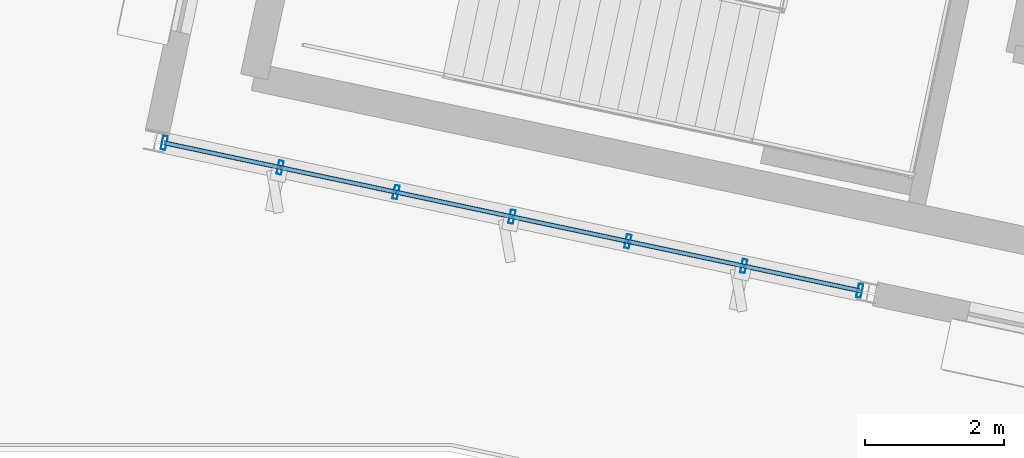
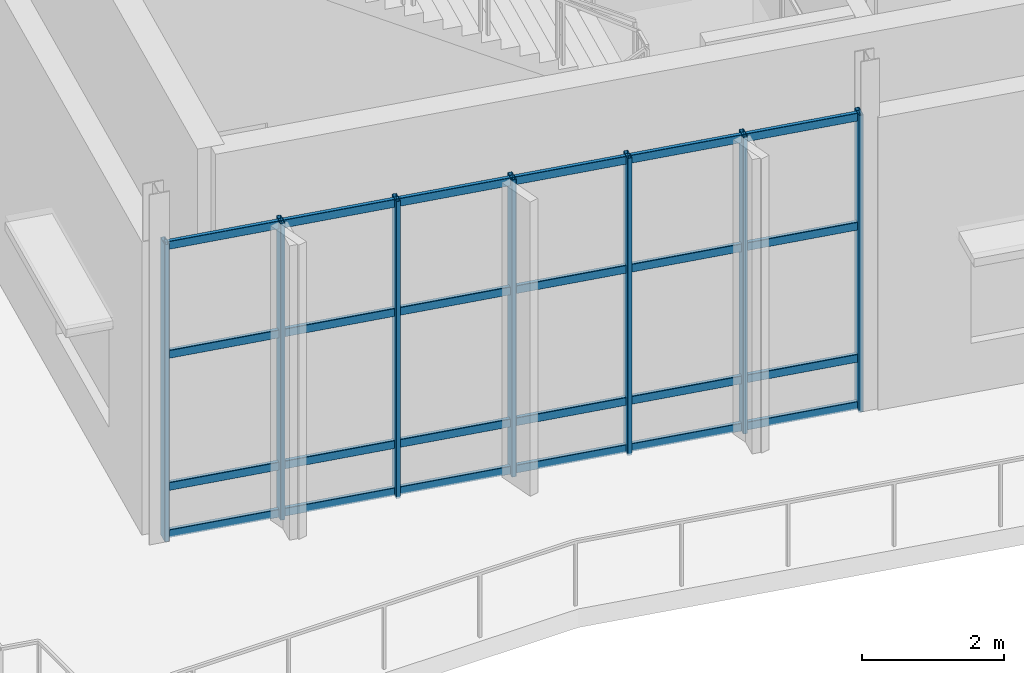
# One storey, part 29 of 163: 31 members, 1 element without a shape of its own.
"""IFC4 building model written with IfcOpenShell, lengths in metres."""

from ifc_helpers import new_model, si_unit, direction, frame, origin, origin_2d, place, context, subcontext, project, spatial, hollow_rectangle, extrude, material, layer, layer_set, material_profile, profile_set, type_object, element, aggregate, save


model = new_model("IFC4")

# Units and contexts
model_context = context("Model", 3, precision=1e-05, world=origin(), true_north=direction((0.0, 1.0)))
body_context = subcontext(model_context, "Body", "Model", "MODEL_VIEW")
ifc_project = project(units=[si_unit("LENGTHUNIT", "METRE"), si_unit("AREAUNIT", "SQUARE_METRE"), si_unit("VOLUMEUNIT", "CUBIC_METRE"), si_unit("PLANEANGLEUNIT", "RADIAN"), si_unit("MASSUNIT", "GRAM", prefix="KILO")], contexts=[model_context])

# Site, building, storey
site_placement = place(None, origin())
site = spatial("IfcSite", under=ifc_project, at=site_placement, CompositionType="ELEMENT")
building_placement = place(site_placement, origin())
building = spatial("IfcBuilding", under=site, at=building_placement, Name="Khorjan Park Terminus", CompositionType="ELEMENT")
storey_placement = place(building_placement, origin())
storey = spatial("IfcBuildingStorey", under=building, at=storey_placement, Name="L00", CompositionType="ELEMENT", Elevation=0.0)

# Curtain wall, members
ifc_material = material(Name="Anodized Bronze Aluminium", Category="aluminium")
ifc_layer = layer(ifc_material, 0.22)
ifc_layer_set = layer_set([ifc_layer], Name="Anodized Bronze Aluminium")
curtain_wall_type = type_object("IfcCurtainWallType", Name="CW-PAV-C", PredefinedType="NOTDEFINED", material=ifc_layer_set)
curtain_wall_placement = place(storey_placement, origin())
curtain_wall = element("IfcCurtainWall", 1, at=curtain_wall_placement, inside=storey, type_object=curtain_wall_type, Name="Unitized curtain wall CW-C (CW-V4-S-L00-B01)", PredefinedType="NOTDEFINED")
ifc_material_profile_1 = material_profile(ifc_material, hollow_rectangle(XDim=0.07, YDim=0.2, WallThickness=0.005, InnerFilletRadius=0.005, OuterFilletRadius=0.01, at=origin_2d()), Name="ALM 70x200x5")
ifc_profile_set_1 = profile_set([ifc_material_profile_1], Name="Anodized Bronze Aluminium")
member_type_1 = type_object("IfcMemberType", Name="ML-ALM-200", PredefinedType="MULLION", material=ifc_profile_set_1)
member_1_placement = place(storey_placement, frame((-5.8728, 41.973, -0.035), z_axis=(0.0, 0.0, 1.0), x_axis=(0.978147146591, -0.207913827382, 0.0)))
member_1 = element("IfcMember", 2, at=member_1_placement, type_object=member_type_1, Name="Curtain-wall mullion ML-20 (CW-V4-S-L00-B01-0)", PredefinedType="MULLION", context=body_context, shape_type="SweptSolid", body=[
    extrude(hollow_rectangle(XDim=0.07, YDim=0.2, WallThickness=0.005, InnerFilletRadius=0.005, OuterFilletRadius=0.01, at=origin_2d()), origin(), (0.0, 0.0, 1.0), 5.095),
])
member_2_placement = place(storey_placement, frame((-4.2017, 41.6178, -0.035), z_axis=(0.0, 0.0, 1.0), x_axis=(0.978147146591, -0.207913827382, 0.0)))
member_2 = element("IfcMember", 3, at=member_2_placement, type_object=member_type_1, Name="Curtain-wall mullion ML-20 (CW-V4-S-L00-B01-1)", PredefinedType="MULLION", context=body_context, shape_type="SweptSolid", body=[
    extrude(hollow_rectangle(XDim=0.07, YDim=0.2, WallThickness=0.005, InnerFilletRadius=0.005, OuterFilletRadius=0.01, at=origin_2d()), origin(), (0.0, 0.0, 1.0), 5.095),
])
member_3_placement = place(storey_placement, frame((-2.5307, 41.2626, -0.035), z_axis=(0.0, 0.0, 1.0), x_axis=(0.978147146591, -0.207913827382, 0.0)))
member_3 = element("IfcMember", 4, at=member_3_placement, type_object=member_type_1, Name="Curtain-wall mullion ML-20 (CW-V4-S-L00-B01-2)", PredefinedType="MULLION", context=body_context, shape_type="SweptSolid", body=[
    extrude(hollow_rectangle(XDim=0.07, YDim=0.2, WallThickness=0.005, InnerFilletRadius=0.005, OuterFilletRadius=0.01, at=origin_2d()), origin(), (0.0, 0.0, 1.0), 5.095),
])
member_4_placement = place(storey_placement, frame((-0.8596, 40.9074, -0.035), z_axis=(0.0, 0.0, 1.0), x_axis=(0.978147146591, -0.207913827382, 0.0)))
member_4 = element("IfcMember", 5, at=member_4_placement, type_object=member_type_1, Name="Curtain-wall mullion ML-20 (CW-V4-S-L00-B01-3)", PredefinedType="MULLION", context=body_context, shape_type="SweptSolid", body=[
    extrude(hollow_rectangle(XDim=0.07, YDim=0.2, WallThickness=0.005, InnerFilletRadius=0.005, OuterFilletRadius=0.01, at=origin_2d()), origin(), (0.0, 0.0, 1.0), 5.095),
])
member_5_placement = place(storey_placement, frame((0.8115, 40.5522, -0.035), z_axis=(0.0, 0.0, 1.0), x_axis=(0.978147146591, -0.207913827382, 0.0)))
member_5 = element("IfcMember", 6, at=member_5_placement, type_object=member_type_1, Name="Curtain-wall mullion ML-20 (CW-V4-S-L00-B01-4)", PredefinedType="MULLION", context=body_context, shape_type="SweptSolid", body=[
    extrude(hollow_rectangle(XDim=0.07, YDim=0.2, WallThickness=0.005, InnerFilletRadius=0.005, OuterFilletRadius=0.01, at=origin_2d()), origin(), (0.0, 0.0, 1.0), 5.095),
])
member_6_placement = place(storey_placement, frame((2.4825, 40.197, -0.035), z_axis=(0.0, 0.0, 1.0), x_axis=(0.978147146591, -0.207913827382, 0.0)))
member_6 = element("IfcMember", 7, at=member_6_placement, type_object=member_type_1, Name="Curtain-wall mullion ML-20 (CW-V4-S-L00-B01-5)", PredefinedType="MULLION", context=body_context, shape_type="SweptSolid", body=[
    extrude(hollow_rectangle(XDim=0.07, YDim=0.2, WallThickness=0.005, InnerFilletRadius=0.005, OuterFilletRadius=0.01, at=origin_2d()), origin(), (0.0, 0.0, 1.0), 5.095),
])
member_7_placement = place(storey_placement, frame((4.1536, 39.8418, -0.035), z_axis=(0.0, 0.0, 1.0), x_axis=(0.978147146591, -0.207913827382, 0.0)))
member_7 = element("IfcMember", 8, at=member_7_placement, type_object=member_type_1, Name="Curtain-wall mullion ML-20 (CW-V4-S-L00-B01-6)", PredefinedType="MULLION", context=body_context, shape_type="SweptSolid", body=[
    extrude(hollow_rectangle(XDim=0.07, YDim=0.2, WallThickness=0.005, InnerFilletRadius=0.005, OuterFilletRadius=0.01, at=origin_2d()), origin(), (0.0, 0.0, 1.0), 5.095),
])
ifc_material_profile_2 = material_profile(ifc_material, hollow_rectangle(XDim=0.065, YDim=0.14, WallThickness=0.004, InnerFilletRadius=0.004, OuterFilletRadius=0.008, at=origin_2d()), Name="ALT 65x140x4")
ifc_profile_set_2 = profile_set([ifc_material_profile_2], Name="Anodized Bronze Aluminium")
member_type_2 = type_object("IfcMemberType", Name="TR-ALT-140", PredefinedType="USERDEFINED", material=ifc_profile_set_2)
member_8_placement = place(storey_placement, frame((-5.8728, 41.973, 0.04), z_axis=(0.978147990011, -0.207909859405, 0.0), x_axis=(0.207909859405, 0.978147990011, 0.0)))
member_8 = element("IfcMember", 9, at=member_8_placement, type_object=member_type_2, Name="Curtain-wall transom TR-14 (CW-V4-S-L00-B01-0-1)", ObjectType="TRANSOM", PredefinedType="USERDEFINED", context=body_context, shape_type="SweptSolid", body=[
    extrude(hollow_rectangle(XDim=0.065, YDim=0.14, WallThickness=0.004, InnerFilletRadius=0.004, OuterFilletRadius=0.008, at=origin_2d()), origin(), (0.0, 0.0, 1.0), 1.7084),
])
member_9_placement = place(storey_placement, frame((-5.8728, 41.973, 0.85), z_axis=(0.978147990011, -0.207909859405, 0.0), x_axis=(0.207909859405, 0.978147990011, 0.0)))
member_9 = element("IfcMember", 10, at=member_9_placement, type_object=member_type_2, Name="Curtain-wall transom TR-14 (CW-V4-S-L00-B01-0-2)", ObjectType="TRANSOM", PredefinedType="USERDEFINED", context=body_context, shape_type="SweptSolid", body=[
    extrude(hollow_rectangle(XDim=0.065, YDim=0.14, WallThickness=0.004, InnerFilletRadius=0.004, OuterFilletRadius=0.008, at=origin_2d()), origin(), (0.0, 0.0, 1.0), 1.7084),
])
member_10_placement = place(storey_placement, frame((-5.8728, 41.973, 3.1155), z_axis=(0.978147990011, -0.207909859405, 0.0), x_axis=(0.207909859405, 0.978147990011, 0.0)))
member_10 = element("IfcMember", 11, at=member_10_placement, type_object=member_type_2, Name="Curtain-wall transom TR-14 (CW-V4-S-L00-B01-0-3)", ObjectType="TRANSOM", PredefinedType="USERDEFINED", context=body_context, shape_type="SweptSolid", body=[
    extrude(hollow_rectangle(XDim=0.065, YDim=0.14, WallThickness=0.004, InnerFilletRadius=0.004, OuterFilletRadius=0.008, at=origin_2d()), origin(), (0.0, 0.0, 1.0), 1.7084),
])
member_11_placement = place(storey_placement, frame((-5.8728, 41.973, 4.985), z_axis=(0.978147990011, -0.207909859405, 0.0), x_axis=(0.207909859405, 0.978147990011, 0.0)))
member_11 = element("IfcMember", 12, at=member_11_placement, type_object=member_type_2, Name="Curtain-wall transom TR-14 (CW-V4-S-L00-B01-0-4)", ObjectType="TRANSOM", PredefinedType="USERDEFINED", context=body_context, shape_type="SweptSolid", body=[
    extrude(hollow_rectangle(XDim=0.065, YDim=0.14, WallThickness=0.004, InnerFilletRadius=0.004, OuterFilletRadius=0.008, at=origin_2d()), origin(), (0.0, 0.0, 1.0), 1.7084),
])
member_12_placement = place(storey_placement, frame((-4.2017, 41.6178, 0.04), z_axis=(0.978145459608, -0.207921763766, 0.0), x_axis=(0.207921763766, 0.978145459608, 0.0)))
member_12 = element("IfcMember", 13, at=member_12_placement, type_object=member_type_2, Name="Curtain-wall transom TR-14 (CW-V4-S-L00-B01-1-1)", ObjectType="TRANSOM", PredefinedType="USERDEFINED", context=body_context, shape_type="SweptSolid", body=[
    extrude(hollow_rectangle(XDim=0.065, YDim=0.14, WallThickness=0.004, InnerFilletRadius=0.004, OuterFilletRadius=0.008, at=origin_2d()), origin(), (0.0, 0.0, 1.0), 1.7083),
])
member_13_placement = place(storey_placement, frame((-4.2017, 41.6178, 0.85), z_axis=(0.978145459608, -0.207921763766, 0.0), x_axis=(0.207921763766, 0.978145459608, 0.0)))
member_13 = element("IfcMember", 14, at=member_13_placement, type_object=member_type_2, Name="Curtain-wall transom TR-14 (CW-V4-S-L00-B01-1-2)", ObjectType="TRANSOM", PredefinedType="USERDEFINED", context=body_context, shape_type="SweptSolid", body=[
    extrude(hollow_rectangle(XDim=0.065, YDim=0.14, WallThickness=0.004, InnerFilletRadius=0.004, OuterFilletRadius=0.008, at=origin_2d()), origin(), (0.0, 0.0, 1.0), 1.7083),
])
member_14_placement = place(storey_placement, frame((-4.2017, 41.6178, 3.1155), z_axis=(0.978145459608, -0.207921763766, 0.0), x_axis=(0.207921763766, 0.978145459608, 0.0)))
member_14 = element("IfcMember", 15, at=member_14_placement, type_object=member_type_2, Name="Curtain-wall transom TR-14 (CW-V4-S-L00-B01-1-3)", ObjectType="TRANSOM", PredefinedType="USERDEFINED", context=body_context, shape_type="SweptSolid", body=[
    extrude(hollow_rectangle(XDim=0.065, YDim=0.14, WallThickness=0.004, InnerFilletRadius=0.004, OuterFilletRadius=0.008, at=origin_2d()), origin(), (0.0, 0.0, 1.0), 1.7083),
])
member_15_placement = place(storey_placement, frame((-4.2017, 41.6178, 4.985), z_axis=(0.978145459608, -0.207921763766, 0.0), x_axis=(0.207921763766, 0.978145459608, 0.0)))
member_15 = element("IfcMember", 16, at=member_15_placement, type_object=member_type_2, Name="Curtain-wall transom TR-14 (CW-V4-S-L00-B01-1-4)", ObjectType="TRANSOM", PredefinedType="USERDEFINED", context=body_context, shape_type="SweptSolid", body=[
    extrude(hollow_rectangle(XDim=0.065, YDim=0.14, WallThickness=0.004, InnerFilletRadius=0.004, OuterFilletRadius=0.008, at=origin_2d()), origin(), (0.0, 0.0, 1.0), 1.7083),
])
member_16_placement = place(storey_placement, frame((-2.5307, 41.2626, 0.04), z_axis=(0.978147990011, -0.207909859405, 0.0), x_axis=(0.207909859405, 0.978147990011, 0.0)))
member_16 = element("IfcMember", 17, at=member_16_placement, type_object=member_type_2, Name="Curtain-wall transom TR-14 (CW-V4-S-L00-B01-2-1)", ObjectType="TRANSOM", PredefinedType="USERDEFINED", context=body_context, shape_type="SweptSolid", body=[
    extrude(hollow_rectangle(XDim=0.065, YDim=0.14, WallThickness=0.004, InnerFilletRadius=0.004, OuterFilletRadius=0.008, at=origin_2d()), origin(), (0.0, 0.0, 1.0), 1.7084),
])
member_17_placement = place(storey_placement, frame((-2.5307, 41.2626, 0.85), z_axis=(0.978147990011, -0.207909859405, 0.0), x_axis=(0.207909859405, 0.978147990011, 0.0)))
member_17 = element("IfcMember", 18, at=member_17_placement, type_object=member_type_2, Name="Curtain-wall transom TR-14 (CW-V4-S-L00-B01-2-2)", ObjectType="TRANSOM", PredefinedType="USERDEFINED", context=body_context, shape_type="SweptSolid", body=[
    extrude(hollow_rectangle(XDim=0.065, YDim=0.14, WallThickness=0.004, InnerFilletRadius=0.004, OuterFilletRadius=0.008, at=origin_2d()), origin(), (0.0, 0.0, 1.0), 1.7084),
])
member_18_placement = place(storey_placement, frame((-2.5307, 41.2626, 3.1155), z_axis=(0.978147990011, -0.207909859405, 0.0), x_axis=(0.207909859405, 0.978147990011, 0.0)))
member_18 = element("IfcMember", 19, at=member_18_placement, type_object=member_type_2, Name="Curtain-wall transom TR-14 (CW-V4-S-L00-B01-2-3)", ObjectType="TRANSOM", PredefinedType="USERDEFINED", context=body_context, shape_type="SweptSolid", body=[
    extrude(hollow_rectangle(XDim=0.065, YDim=0.14, WallThickness=0.004, InnerFilletRadius=0.004, OuterFilletRadius=0.008, at=origin_2d()), origin(), (0.0, 0.0, 1.0), 1.7084),
])
member_19_placement = place(storey_placement, frame((-2.5307, 41.2626, 4.985), z_axis=(0.978147990011, -0.207909859405, 0.0), x_axis=(0.207909859405, 0.978147990011, 0.0)))
member_19 = element("IfcMember", 20, at=member_19_placement, type_object=member_type_2, Name="Curtain-wall transom TR-14 (CW-V4-S-L00-B01-2-4)", ObjectType="TRANSOM", PredefinedType="USERDEFINED", context=body_context, shape_type="SweptSolid", body=[
    extrude(hollow_rectangle(XDim=0.065, YDim=0.14, WallThickness=0.004, InnerFilletRadius=0.004, OuterFilletRadius=0.008, at=origin_2d()), origin(), (0.0, 0.0, 1.0), 1.7084),
])
member_20_placement = place(storey_placement, frame((-0.8596, 40.9074, 0.04), z_axis=(0.978147990011, -0.207909859405, 0.0), x_axis=(0.207909859405, 0.978147990011, 0.0)))
member_20 = element("IfcMember", 21, at=member_20_placement, type_object=member_type_2, Name="Curtain-wall transom TR-14 (CW-V4-S-L00-B01-3-1)", ObjectType="TRANSOM", PredefinedType="USERDEFINED", context=body_context, shape_type="SweptSolid", body=[
    extrude(hollow_rectangle(XDim=0.065, YDim=0.14, WallThickness=0.004, InnerFilletRadius=0.004, OuterFilletRadius=0.008, at=origin_2d()), origin(), (0.0, 0.0, 1.0), 1.7084),
])
member_21_placement = place(storey_placement, frame((-0.8596, 40.9074, 0.85), z_axis=(0.978147990011, -0.207909859405, 0.0), x_axis=(0.207909859405, 0.978147990011, 0.0)))
member_21 = element("IfcMember", 22, at=member_21_placement, type_object=member_type_2, Name="Curtain-wall transom TR-14 (CW-V4-S-L00-B01-3-2)", ObjectType="TRANSOM", PredefinedType="USERDEFINED", context=body_context, shape_type="SweptSolid", body=[
    extrude(hollow_rectangle(XDim=0.065, YDim=0.14, WallThickness=0.004, InnerFilletRadius=0.004, OuterFilletRadius=0.008, at=origin_2d()), origin(), (0.0, 0.0, 1.0), 1.7084),
])
member_22_placement = place(storey_placement, frame((-0.8596, 40.9074, 3.1155), z_axis=(0.978147990011, -0.207909859405, 0.0), x_axis=(0.207909859405, 0.978147990011, 0.0)))
member_22 = element("IfcMember", 23, at=member_22_placement, type_object=member_type_2, Name="Curtain-wall transom TR-14 (CW-V4-S-L00-B01-3-3)", ObjectType="TRANSOM", PredefinedType="USERDEFINED", context=body_context, shape_type="SweptSolid", body=[
    extrude(hollow_rectangle(XDim=0.065, YDim=0.14, WallThickness=0.004, InnerFilletRadius=0.004, OuterFilletRadius=0.008, at=origin_2d()), origin(), (0.0, 0.0, 1.0), 1.7084),
])
member_23_placement = place(storey_placement, frame((-0.8596, 40.9074, 4.985), z_axis=(0.978147990011, -0.207909859405, 0.0), x_axis=(0.207909859405, 0.978147990011, 0.0)))
member_23 = element("IfcMember", 24, at=member_23_placement, type_object=member_type_2, Name="Curtain-wall transom TR-14 (CW-V4-S-L00-B01-3-4)", ObjectType="TRANSOM", PredefinedType="USERDEFINED", context=body_context, shape_type="SweptSolid", body=[
    extrude(hollow_rectangle(XDim=0.065, YDim=0.14, WallThickness=0.004, InnerFilletRadius=0.004, OuterFilletRadius=0.008, at=origin_2d()), origin(), (0.0, 0.0, 1.0), 1.7084),
])
member_24_placement = place(storey_placement, frame((0.8115, 40.5522, 0.04), z_axis=(0.978145459608, -0.207921763766, 0.0), x_axis=(0.207921763766, 0.978145459608, 0.0)))
member_24 = element("IfcMember", 25, at=member_24_placement, type_object=member_type_2, Name="Curtain-wall transom TR-14 (CW-V4-S-L00-B01-4-1)", ObjectType="TRANSOM", PredefinedType="USERDEFINED", context=body_context, shape_type="SweptSolid", body=[
    extrude(hollow_rectangle(XDim=0.065, YDim=0.14, WallThickness=0.004, InnerFilletRadius=0.004, OuterFilletRadius=0.008, at=origin_2d()), origin(), (0.0, 0.0, 1.0), 1.7083),
])
member_25_placement = place(storey_placement, frame((0.8115, 40.5522, 0.85), z_axis=(0.978145459608, -0.207921763766, 0.0), x_axis=(0.207921763766, 0.978145459608, 0.0)))
member_25 = element("IfcMember", 26, at=member_25_placement, type_object=member_type_2, Name="Curtain-wall transom TR-14 (CW-V4-S-L00-B01-4-2)", ObjectType="TRANSOM", PredefinedType="USERDEFINED", context=body_context, shape_type="SweptSolid", body=[
    extrude(hollow_rectangle(XDim=0.065, YDim=0.14, WallThickness=0.004, InnerFilletRadius=0.004, OuterFilletRadius=0.008, at=origin_2d()), origin(), (0.0, 0.0, 1.0), 1.7083),
])
member_26_placement = place(storey_placement, frame((0.8115, 40.5522, 3.1155), z_axis=(0.978145459608, -0.207921763766, 0.0), x_axis=(0.207921763766, 0.978145459608, 0.0)))
member_26 = element("IfcMember", 27, at=member_26_placement, type_object=member_type_2, Name="Curtain-wall transom TR-14 (CW-V4-S-L00-B01-4-3)", ObjectType="TRANSOM", PredefinedType="USERDEFINED", context=body_context, shape_type="SweptSolid", body=[
    extrude(hollow_rectangle(XDim=0.065, YDim=0.14, WallThickness=0.004, InnerFilletRadius=0.004, OuterFilletRadius=0.008, at=origin_2d()), origin(), (0.0, 0.0, 1.0), 1.7083),
])
member_27_placement = place(storey_placement, frame((0.8115, 40.5522, 4.985), z_axis=(0.978145459608, -0.207921763766, 0.0), x_axis=(0.207921763766, 0.978145459608, 0.0)))
member_27 = element("IfcMember", 28, at=member_27_placement, type_object=member_type_2, Name="Curtain-wall transom TR-14 (CW-V4-S-L00-B01-4-4)", ObjectType="TRANSOM", PredefinedType="USERDEFINED", context=body_context, shape_type="SweptSolid", body=[
    extrude(hollow_rectangle(XDim=0.065, YDim=0.14, WallThickness=0.004, InnerFilletRadius=0.004, OuterFilletRadius=0.008, at=origin_2d()), origin(), (0.0, 0.0, 1.0), 1.7083),
])
member_28_placement = place(storey_placement, frame((2.4825, 40.197, 0.04), z_axis=(0.978147990011, -0.207909859405, 0.0), x_axis=(0.207909859405, 0.978147990011, 0.0)))
member_28 = element("IfcMember", 29, at=member_28_placement, type_object=member_type_2, Name="Curtain-wall transom TR-14 (CW-V4-S-L00-B01-5-1)", ObjectType="TRANSOM", PredefinedType="USERDEFINED", context=body_context, shape_type="SweptSolid", body=[
    extrude(hollow_rectangle(XDim=0.065, YDim=0.14, WallThickness=0.004, InnerFilletRadius=0.004, OuterFilletRadius=0.008, at=origin_2d()), origin(), (0.0, 0.0, 1.0), 1.7084),
])
member_29_placement = place(storey_placement, frame((2.4825, 40.197, 0.85), z_axis=(0.978147990011, -0.207909859405, 0.0), x_axis=(0.207909859405, 0.978147990011, 0.0)))
member_29 = element("IfcMember", 30, at=member_29_placement, type_object=member_type_2, Name="Curtain-wall transom TR-14 (CW-V4-S-L00-B01-5-2)", ObjectType="TRANSOM", PredefinedType="USERDEFINED", context=body_context, shape_type="SweptSolid", body=[
    extrude(hollow_rectangle(XDim=0.065, YDim=0.14, WallThickness=0.004, InnerFilletRadius=0.004, OuterFilletRadius=0.008, at=origin_2d()), origin(), (0.0, 0.0, 1.0), 1.7084),
])
member_30_placement = place(storey_placement, frame((2.4825, 40.197, 3.1155), z_axis=(0.978147990011, -0.207909859405, 0.0), x_axis=(0.207909859405, 0.978147990011, 0.0)))
member_30 = element("IfcMember", 31, at=member_30_placement, type_object=member_type_2, Name="Curtain-wall transom TR-14 (CW-V4-S-L00-B01-5-3)", ObjectType="TRANSOM", PredefinedType="USERDEFINED", context=body_context, shape_type="SweptSolid", body=[
    extrude(hollow_rectangle(XDim=0.065, YDim=0.14, WallThickness=0.004, InnerFilletRadius=0.004, OuterFilletRadius=0.008, at=origin_2d()), origin(), (0.0, 0.0, 1.0), 1.7084),
])
member_31_placement = place(storey_placement, frame((2.4825, 40.197, 4.985), z_axis=(0.978147990011, -0.207909859405, 0.0), x_axis=(0.207909859405, 0.978147990011, 0.0)))
member_31 = element("IfcMember", 32, at=member_31_placement, type_object=member_type_2, Name="Curtain-wall transom TR-14 (CW-V4-S-L00-B01-5-4)", ObjectType="TRANSOM", PredefinedType="USERDEFINED", context=body_context, shape_type="SweptSolid", body=[
    extrude(hollow_rectangle(XDim=0.065, YDim=0.14, WallThickness=0.004, InnerFilletRadius=0.004, OuterFilletRadius=0.008, at=origin_2d()), origin(), (0.0, 0.0, 1.0), 1.7084),
])
aggregate(curtain_wall, [member_1, member_2, member_3, member_4, member_5, member_6, member_7, member_8, member_9, member_10, member_11, member_12, member_13, member_14, member_15, member_16, member_17, member_18, member_19, member_20, member_21, member_22, member_23, member_24, member_25, member_26, member_27, member_28, member_29, member_30, member_31])

save(model, "model.ifc")
